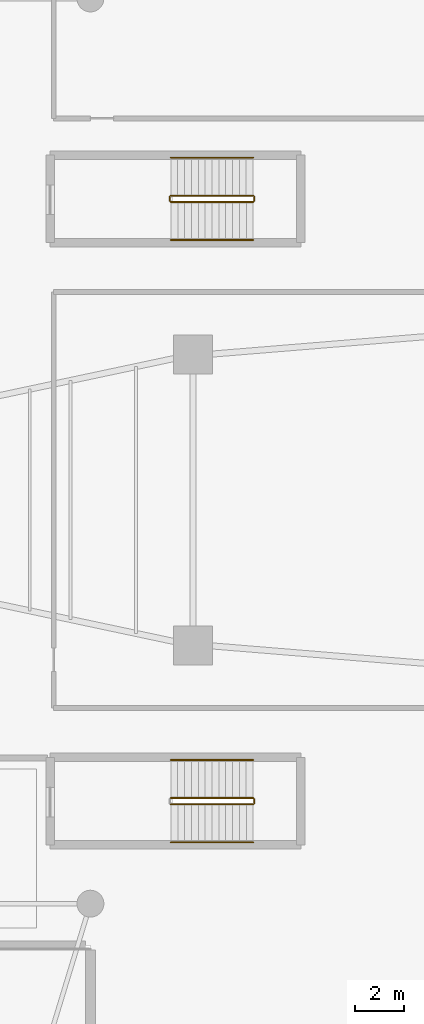
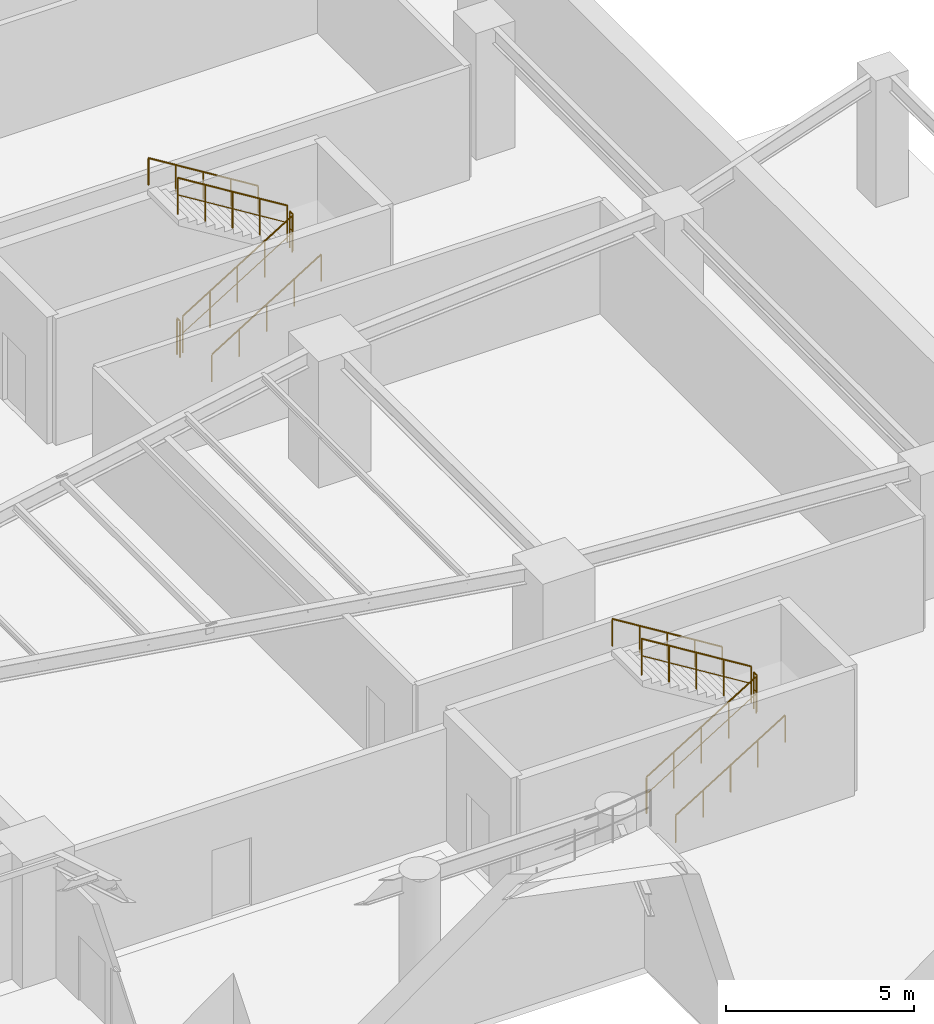
# One storey, part 14 of 14: 11 railings.
"""IFC4 building model written with IfcOpenShell, lengths in metres."""

from ifc_helpers import new_model, si_unit, direction, frame, origin, origin_2d, place, context, subcontext, project, spatial, circle, extrude, material, type_object, element, save


model = new_model("IFC4")

# Units and contexts
model_context = context("Model", 3, precision=1e-05, world=origin(), true_north=direction((0.0, 1.0)))
body_context = subcontext(model_context, "Body", "Model", "MODEL_VIEW")
ifc_project = project(units=[si_unit("LENGTHUNIT", "METRE"), si_unit("AREAUNIT", "SQUARE_METRE"), si_unit("VOLUMEUNIT", "CUBIC_METRE"), si_unit("PLANEANGLEUNIT", "RADIAN"), si_unit("MASSUNIT", "GRAM", prefix="KILO")], contexts=[model_context])

# Site, building, storey
site_placement = place(None, origin())
site = spatial("IfcSite", under=ifc_project, at=site_placement, CompositionType="ELEMENT")
building_placement = place(site_placement, origin())
building = spatial("IfcBuilding", under=site, at=building_placement, Name="Sahyath Konkavel Grand Hotel", CompositionType="ELEMENT")
storey_placement = place(building_placement, frame((0.0, 0.0, -4.5)))
storey = spatial("IfcBuildingStorey", under=building, at=storey_placement, Name="B1", CompositionType="ELEMENT", Elevation=-4.5)

# Railings
ifc_material_1 = material(Name="Steel E350", Category="steel")
railing_type_1 = type_object("IfcRailingType", Name="RLG-STAIR-GRD", PredefinedType="GUARDRAIL", material=ifc_material_1)
railing_1_placement = place(storey_placement, frame((21.2900390625, 12.179931640625, 0.173095703125)))
element("IfcRailing", 1, at=railing_1_placement, inside=storey, type_object=railing_type_1, Name="B1 ST-P2 stair guard 1", PredefinedType="GUARDRAIL", context=body_context, shape_type="SweptSolid", body=[
    extrude(circle(Radius=0.02392578125, at=origin_2d()), frame((0.001708984375, 0.0, 1.177001953125), z_axis=(0.850606129759, 0.0, 0.525803396734), x_axis=(0.0, 1.0, 0.0)), (0.0, 0.0, 1.0), 3.946044921875),
    extrude(circle(Radius=0.01416015625, at=origin_2d()), frame((0.001708984375, 0.0, 0.625), z_axis=(0.850606129759, 0.0, 0.525803396734), x_axis=(0.0, 1.0, 0.0)), (0.0, 0.0, 1.0), 3.946044921875),
    extrude(circle(Radius=0.02099609375, at=origin_2d()), origin(), (0.0, 0.0, 1.0), 1.15185546875),
    extrude(circle(Radius=0.02099609375, at=origin_2d()), frame((0.83984375, 0.0, 0.519287109375)), (0.0, 0.0, 1.0), 1.15185546875),
    extrude(circle(Radius=0.02099609375, at=origin_2d()), frame((1.679931640625, 0.0, 1.03857421875)), (0.0, 0.0, 1.0), 1.15185546875),
    extrude(circle(Radius=0.02099609375, at=origin_2d()), frame((2.52001953125, 0.0, 1.5576171875)), (0.0, 0.0, 1.0), 1.15185546875),
    extrude(circle(Radius=0.02099609375, at=origin_2d()), frame((3.35986328125, 0.0, 2.076904296875)), (0.0, 0.0, 1.0), 1.15185546875),
])
railing_2_placement = place(storey_placement, frame((24.699951171875, 12.22998046875, 2.25)))
element("IfcRailing", 2, at=railing_2_placement, inside=storey, type_object=railing_type_1, Name="B1 ST-P2 stair guard 2", PredefinedType="GUARDRAIL", context=body_context, shape_type="SweptSolid", body=[
    extrude(circle(Radius=0.02392578125, at=origin_2d()), frame((0.0, 0.001953125, 1.17578125), z_axis=(0.0, 1.0, 0.0), x_axis=(-1.0, 0.0, 0.0)), (0.0, 0.0, 1.0), 0.156005859375),
    extrude(circle(Radius=0.01416015625, at=origin_2d()), frame((0.0, 0.001953125, 0.6240234375), z_axis=(0.0, 1.0, 0.0), x_axis=(-1.0, 0.0, 0.0)), (0.0, 0.0, 1.0), 0.156005859375),
    extrude(circle(Radius=0.02099609375, at=origin_2d()), origin(), (0.0, 0.0, 1.0), 1.15185546875),
    extrude(circle(Radius=0.02099609375, at=origin_2d()), frame((0.0, 0.159912109375, 0.0)), (0.0, 0.0, 1.0), 1.15185546875),
])
railing_3_placement = place(storey_placement, frame((24.64990234375, 12.43994140625, 2.423095703125)))
element("IfcRailing", 3, at=railing_3_placement, inside=storey, type_object=railing_type_1, Name="B1 ST-P2 stair guard 3", PredefinedType="GUARDRAIL", context=body_context, shape_type="SweptSolid", body=[
    extrude(circle(Radius=0.02392578125, at=origin_2d()), frame((-0.001708984375, 0.0, 1.177001953125), z_axis=(-0.850606129759, 0.0, 0.525803396734), x_axis=(0.0, -1.0, 0.0)), (0.0, 0.0, 1.0), 3.946044921875),
    extrude(circle(Radius=0.01416015625, at=origin_2d()), frame((-0.001708984375, 0.0, 0.625), z_axis=(-0.850606129759, 0.0, 0.525803396734), x_axis=(0.0, -1.0, 0.0)), (0.0, 0.0, 1.0), 3.946044921875),
    extrude(circle(Radius=0.02099609375, at=origin_2d()), origin(), (0.0, 0.0, 1.0), 1.15185546875),
    extrude(circle(Radius=0.02099609375, at=origin_2d()), frame((-0.83984375, 0.0, 0.519287109375)), (0.0, 0.0, 1.0), 1.15185546875),
    extrude(circle(Radius=0.02099609375, at=origin_2d()), frame((-1.679931640625, 0.0, 1.03857421875)), (0.0, 0.0, 1.0), 1.15185546875),
    extrude(circle(Radius=0.02099609375, at=origin_2d()), frame((-2.52001953125, 0.0, 1.5576171875)), (0.0, 0.0, 1.0), 1.15185546875),
    extrude(circle(Radius=0.02099609375, at=origin_2d()), frame((-3.35986328125, 0.0, 2.076904296875)), (0.0, 0.0, 1.0), 1.15185546875),
])
railing_4_placement = place(storey_placement, frame((21.239990234375, 12.22998046875, 0.0)))
element("IfcRailing", 4, at=railing_4_placement, inside=storey, type_object=railing_type_1, Name="B1 ST-P2 stair guard 4", PredefinedType="GUARDRAIL", context=body_context, shape_type="SweptSolid", body=[
    extrude(circle(Radius=0.02392578125, at=origin_2d()), frame((0.0, 0.001953125, 1.17578125), z_axis=(0.0, 1.0, 0.0), x_axis=(-1.0, 0.0, 0.0)), (0.0, 0.0, 1.0), 0.156005859375),
    extrude(circle(Radius=0.01416015625, at=origin_2d()), frame((0.0, 0.001953125, 0.6240234375), z_axis=(0.0, 1.0, 0.0), x_axis=(-1.0, 0.0, 0.0)), (0.0, 0.0, 1.0), 0.156005859375),
    extrude(circle(Radius=0.02099609375, at=origin_2d()), origin(), (0.0, 0.0, 1.0), 1.15185546875),
    extrude(circle(Radius=0.02099609375, at=origin_2d()), frame((0.0, 0.159912109375, 0.0)), (0.0, 0.0, 1.0), 1.15185546875),
])
railing_5_placement = place(storey_placement, frame((21.2900390625, -12.43994140625, 0.173095703125)))
element("IfcRailing", 5, at=railing_5_placement, inside=storey, type_object=railing_type_1, Name="B1 ST-P4 stair guard 1", PredefinedType="GUARDRAIL", context=body_context, shape_type="SweptSolid", body=[
    extrude(circle(Radius=0.02392578125, at=origin_2d()), frame((0.001708984375, 0.0, 1.177001953125), z_axis=(0.850606129759, 0.0, 0.525803396734), x_axis=(0.0, 1.0, 0.0)), (0.0, 0.0, 1.0), 3.946044921875),
    extrude(circle(Radius=0.01416015625, at=origin_2d()), frame((0.001708984375, 0.0, 0.625), z_axis=(0.850606129759, 0.0, 0.525803396734), x_axis=(0.0, 1.0, 0.0)), (0.0, 0.0, 1.0), 3.946044921875),
    extrude(circle(Radius=0.02099609375, at=origin_2d()), origin(), (0.0, 0.0, 1.0), 1.15185546875),
    extrude(circle(Radius=0.02099609375, at=origin_2d()), frame((0.83984375, 0.0, 0.519287109375)), (0.0, 0.0, 1.0), 1.15185546875),
    extrude(circle(Radius=0.02099609375, at=origin_2d()), frame((1.679931640625, 0.0, 1.03857421875)), (0.0, 0.0, 1.0), 1.15185546875),
    extrude(circle(Radius=0.02099609375, at=origin_2d()), frame((2.52001953125, 0.0, 1.5576171875)), (0.0, 0.0, 1.0), 1.15185546875),
    extrude(circle(Radius=0.02099609375, at=origin_2d()), frame((3.35986328125, 0.0, 2.076904296875)), (0.0, 0.0, 1.0), 1.15185546875),
])
railing_6_placement = place(storey_placement, frame((24.699951171875, -12.389892578125, 2.25)))
element("IfcRailing", 6, at=railing_6_placement, inside=storey, type_object=railing_type_1, Name="B1 ST-P4 stair guard 2", PredefinedType="GUARDRAIL", context=body_context, shape_type="SweptSolid", body=[
    extrude(circle(Radius=0.02392578125, at=origin_2d()), frame((0.0, 0.001953125, 1.17578125), z_axis=(0.0, 1.0, 0.0), x_axis=(-1.0, 0.0, 0.0)), (0.0, 0.0, 1.0), 0.156005859375),
    extrude(circle(Radius=0.01416015625, at=origin_2d()), frame((0.0, 0.001953125, 0.6240234375), z_axis=(0.0, 1.0, 0.0), x_axis=(-1.0, 0.0, 0.0)), (0.0, 0.0, 1.0), 0.156005859375),
    extrude(circle(Radius=0.02099609375, at=origin_2d()), origin(), (0.0, 0.0, 1.0), 1.15185546875),
    extrude(circle(Radius=0.02099609375, at=origin_2d()), frame((0.0, 0.159912109375, 0.0)), (0.0, 0.0, 1.0), 1.15185546875),
])
railing_7_placement = place(storey_placement, frame((24.64990234375, -12.179931640625, 2.423095703125)))
element("IfcRailing", 7, at=railing_7_placement, inside=storey, type_object=railing_type_1, Name="B1 ST-P4 stair guard 3", PredefinedType="GUARDRAIL", context=body_context, shape_type="SweptSolid", body=[
    extrude(circle(Radius=0.02392578125, at=origin_2d()), frame((-0.001708984375, 0.0, 1.177001953125), z_axis=(-0.850606129759, 0.0, 0.525803396734), x_axis=(0.0, -1.0, 0.0)), (0.0, 0.0, 1.0), 3.946044921875),
    extrude(circle(Radius=0.01416015625, at=origin_2d()), frame((-0.001708984375, 0.0, 0.625), z_axis=(-0.850606129759, 0.0, 0.525803396734), x_axis=(0.0, -1.0, 0.0)), (0.0, 0.0, 1.0), 3.946044921875),
    extrude(circle(Radius=0.02099609375, at=origin_2d()), origin(), (0.0, 0.0, 1.0), 1.15185546875),
    extrude(circle(Radius=0.02099609375, at=origin_2d()), frame((-0.83984375, 0.0, 0.519287109375)), (0.0, 0.0, 1.0), 1.15185546875),
    extrude(circle(Radius=0.02099609375, at=origin_2d()), frame((-1.679931640625, 0.0, 1.03857421875)), (0.0, 0.0, 1.0), 1.15185546875),
    extrude(circle(Radius=0.02099609375, at=origin_2d()), frame((-2.52001953125, 0.0, 1.5576171875)), (0.0, 0.0, 1.0), 1.15185546875),
    extrude(circle(Radius=0.02099609375, at=origin_2d()), frame((-3.35986328125, 0.0, 2.076904296875)), (0.0, 0.0, 1.0), 1.15185546875),
])
ifc_material_2 = material(Name="Anodised Bronze Aluminium", Category="aluminium")
railing_type_2 = type_object("IfcRailingType", Name="RLG-STAIR-HND", PredefinedType="HANDRAIL", material=ifc_material_2)
railing_8_placement = place(storey_placement, frame((21.2900390625, 10.6298828125, 0.173095703125)))
element("IfcRailing", 8, at=railing_8_placement, inside=storey, type_object=railing_type_2, Name="B1 ST-P2 stair handrail 1", PredefinedType="HANDRAIL", context=body_context, shape_type="SweptSolid", body=[
    extrude(circle(Radius=0.02392578125, at=origin_2d()), frame((0.001708984375, 0.0, 0.876953125), z_axis=(0.850606129759, 0.0, 0.525803396734), x_axis=(0.0, 1.0, 0.0)), (0.0, 0.0, 1.0), 3.946044921875),
    extrude(circle(Radius=0.02099609375, at=origin_2d()), origin(), (0.0, 0.0, 1.0), 0.851806640625),
    extrude(circle(Radius=0.02099609375, at=origin_2d()), frame((0.83984375, 0.0, 0.519287109375)), (0.0, 0.0, 1.0), 0.851806640625),
    extrude(circle(Radius=0.02099609375, at=origin_2d()), frame((1.679931640625, 0.0, 1.03857421875)), (0.0, 0.0, 1.0), 0.851806640625),
    extrude(circle(Radius=0.02099609375, at=origin_2d()), frame((2.52001953125, 0.0, 1.5576171875)), (0.0, 0.0, 1.0), 0.851806640625),
    extrude(circle(Radius=0.02099609375, at=origin_2d()), frame((3.35986328125, 0.0, 2.076904296875)), (0.0, 0.0, 1.0), 0.851806640625),
])
railing_9_placement = place(storey_placement, frame((24.64990234375, 13.989990234375, 2.423095703125)))
element("IfcRailing", 9, at=railing_9_placement, inside=storey, type_object=railing_type_2, Name="B1 ST-P2 stair handrail 2", PredefinedType="HANDRAIL", context=body_context, shape_type="SweptSolid", body=[
    extrude(circle(Radius=0.02392578125, at=origin_2d()), frame((-0.001708984375, 0.0, 0.876953125), z_axis=(-0.850606129759, 0.0, 0.525803396734), x_axis=(0.0, -1.0, 0.0)), (0.0, 0.0, 1.0), 3.946044921875),
    extrude(circle(Radius=0.02099609375, at=origin_2d()), origin(), (0.0, 0.0, 1.0), 0.851806640625),
    extrude(circle(Radius=0.02099609375, at=origin_2d()), frame((-0.83984375, 0.0, 0.519287109375)), (0.0, 0.0, 1.0), 0.851806640625),
    extrude(circle(Radius=0.02099609375, at=origin_2d()), frame((-1.679931640625, 0.0, 1.03857421875)), (0.0, 0.0, 1.0), 0.851806640625),
    extrude(circle(Radius=0.02099609375, at=origin_2d()), frame((-2.52001953125, 0.0, 1.5576171875)), (0.0, 0.0, 1.0), 0.851806640625),
    extrude(circle(Radius=0.02099609375, at=origin_2d()), frame((-3.35986328125, 0.0, 2.076904296875)), (0.0, 0.0, 1.0), 0.851806640625),
])
railing_10_placement = place(storey_placement, frame((21.2900390625, -13.989990234375, 0.173095703125)))
element("IfcRailing", 10, at=railing_10_placement, inside=storey, type_object=railing_type_2, Name="B1 ST-P4 stair handrail 1", PredefinedType="HANDRAIL", context=body_context, shape_type="SweptSolid", body=[
    extrude(circle(Radius=0.02392578125, at=origin_2d()), frame((0.001708984375, 0.0, 0.876953125), z_axis=(0.850606129759, 0.0, 0.525803396734), x_axis=(0.0, 1.0, 0.0)), (0.0, 0.0, 1.0), 3.946044921875),
    extrude(circle(Radius=0.02099609375, at=origin_2d()), origin(), (0.0, 0.0, 1.0), 0.851806640625),
    extrude(circle(Radius=0.02099609375, at=origin_2d()), frame((0.83984375, 0.0, 0.519287109375)), (0.0, 0.0, 1.0), 0.851806640625),
    extrude(circle(Radius=0.02099609375, at=origin_2d()), frame((1.679931640625, 0.0, 1.03857421875)), (0.0, 0.0, 1.0), 0.851806640625),
    extrude(circle(Radius=0.02099609375, at=origin_2d()), frame((2.52001953125, 0.0, 1.5576171875)), (0.0, 0.0, 1.0), 0.851806640625),
    extrude(circle(Radius=0.02099609375, at=origin_2d()), frame((3.35986328125, 0.0, 2.076904296875)), (0.0, 0.0, 1.0), 0.851806640625),
])
railing_11_placement = place(storey_placement, frame((24.64990234375, -10.6298828125, 2.423095703125)))
element("IfcRailing", 11, at=railing_11_placement, inside=storey, type_object=railing_type_2, Name="B1 ST-P4 stair handrail 2", PredefinedType="HANDRAIL", context=body_context, shape_type="SweptSolid", body=[
    extrude(circle(Radius=0.02392578125, at=origin_2d()), frame((-0.001708984375, 0.0, 0.876953125), z_axis=(-0.850606129759, 0.0, 0.525803396734), x_axis=(0.0, -1.0, 0.0)), (0.0, 0.0, 1.0), 3.946044921875),
    extrude(circle(Radius=0.02099609375, at=origin_2d()), origin(), (0.0, 0.0, 1.0), 0.851806640625),
    extrude(circle(Radius=0.02099609375, at=origin_2d()), frame((-0.83984375, 0.0, 0.519287109375)), (0.0, 0.0, 1.0), 0.851806640625),
    extrude(circle(Radius=0.02099609375, at=origin_2d()), frame((-1.679931640625, 0.0, 1.03857421875)), (0.0, 0.0, 1.0), 0.851806640625),
    extrude(circle(Radius=0.02099609375, at=origin_2d()), frame((-2.52001953125, 0.0, 1.5576171875)), (0.0, 0.0, 1.0), 0.851806640625),
    extrude(circle(Radius=0.02099609375, at=origin_2d()), frame((-3.35986328125, 0.0, 2.076904296875)), (0.0, 0.0, 1.0), 0.851806640625),
])

save(model, "model.ifc")
